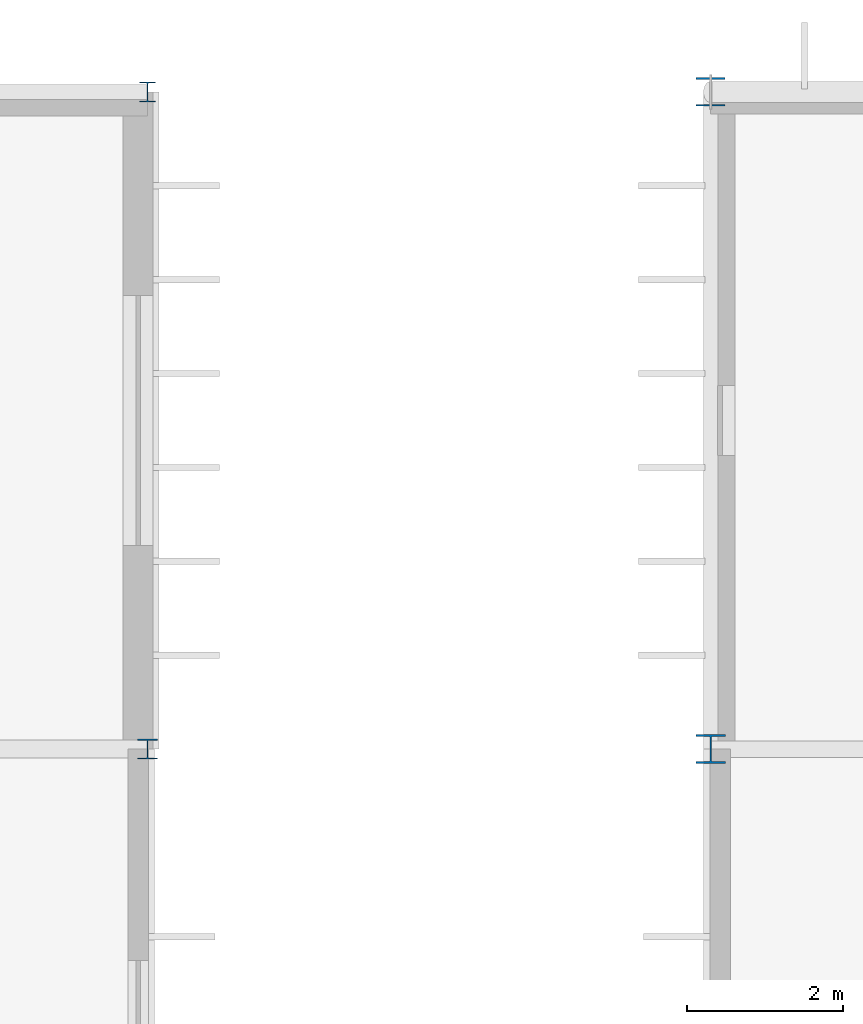
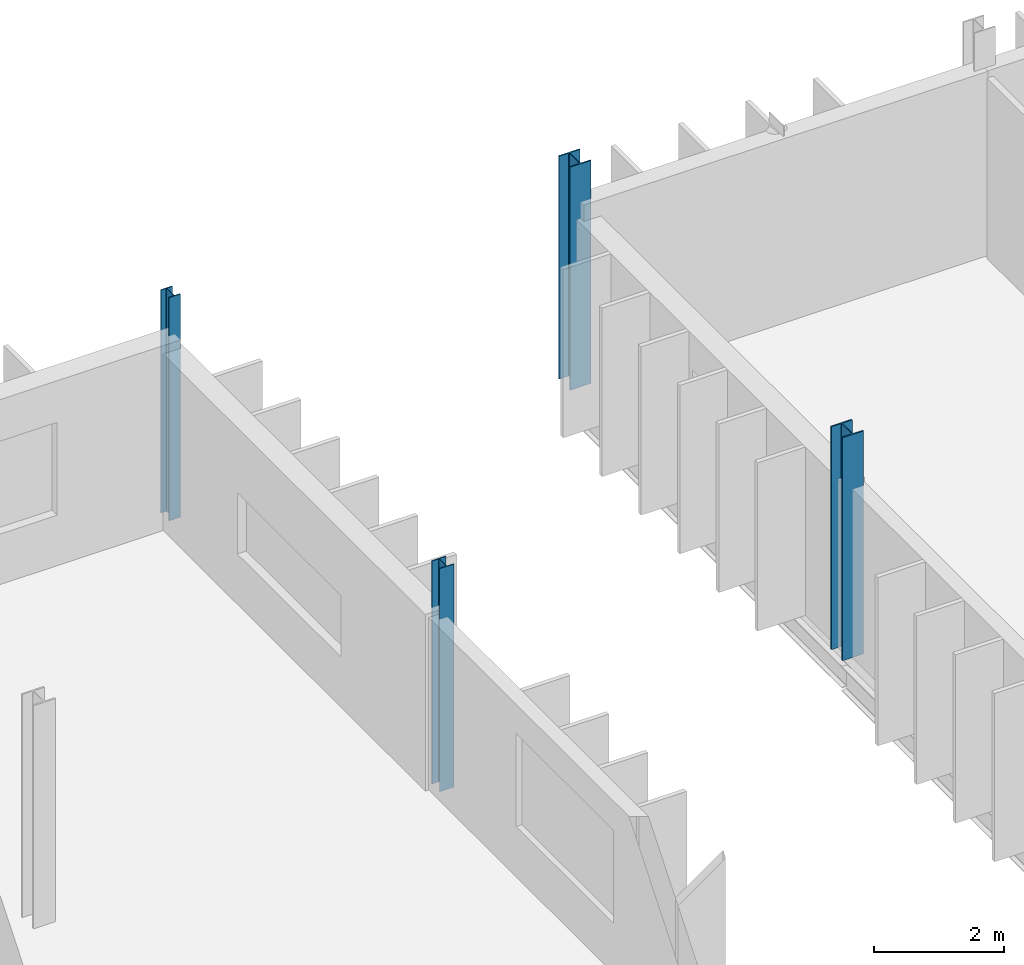
# One storey, part 16 of 119: 4 columns.
"""IFC4 building model written with IfcOpenShell, lengths in metres."""

from ifc_helpers import new_model, si_unit, direction, frame, origin, origin_2d, place, context, subcontext, project, spatial, i_section, extrude, material, material_profile, profile_set, type_object, element, save


model = new_model("IFC4")

# Units and contexts
model_context = context("Model", 3, precision=1e-05, world=origin(), true_north=direction((0.0, 1.0)))
body_context = subcontext(model_context, "Body", "Model", "MODEL_VIEW")
ifc_project = project(units=[si_unit("LENGTHUNIT", "METRE"), si_unit("AREAUNIT", "SQUARE_METRE"), si_unit("VOLUMEUNIT", "CUBIC_METRE"), si_unit("PLANEANGLEUNIT", "RADIAN"), si_unit("MASSUNIT", "GRAM", prefix="KILO")], contexts=[model_context])

# Site, building, storey
site_placement = place(None, origin())
site = spatial("IfcSite", under=ifc_project, at=site_placement, CompositionType="ELEMENT")
building_placement = place(site_placement, origin())
building = spatial("IfcBuilding", under=site, at=building_placement, Name="Qelthora Terrace Specialist Clinic", CompositionType="ELEMENT")
storey_placement = place(building_placement, frame((0.0, 0.0, 4.800048828125)))
storey = spatial("IfcBuildingStorey", under=building, at=storey_placement, Name="L01", CompositionType="ELEMENT", Elevation=4.800048828125)

# Columns
ifc_material = material(Name="Steel S355", Category="steel")
ifc_material_profile_1 = material_profile(ifc_material, i_section(OverallWidth=0.2041015625, OverallDepth=0.257080078125, WebThickness=0.0087890625, FlangeThickness=0.015625, FilletRadius=0.012939453125, at=origin_2d()), Name="W250X67")
ifc_profile_set_1 = profile_set([ifc_material_profile_1], Name="Steel S355")
column_type_1 = type_object("IfcColumnType", Name="COL-W250X67", PredefinedType="COLUMN", material=ifc_profile_set_1)
column_1_placement = place(storey_placement, frame((50.39990234375, 109.199951171875, 0.0), z_axis=(0.0, 0.0, 1.0), x_axis=(1.0, 0.0, 0.0)))
element("IfcColumn", 1, at=column_1_placement, inside=storey, type_object=column_type_1, Name="Column L01-099", PredefinedType="COLUMN", context=body_context, shape_type="SweptSolid", body=[
    extrude(i_section(OverallWidth=0.2041015625, OverallDepth=0.257080078125, WebThickness=0.0087890625, FlangeThickness=0.015625, FilletRadius=0.012939453125, at=origin_2d()), origin(), (0.0, 0.0, 1.0), 4.199951171875),
])
ifc_material_profile_2 = material_profile(ifc_material, i_section(OverallWidth=0.25390625, OverallDepth=0.2529296875, WebThickness=0.008544921875, FlangeThickness=0.01416015625, FilletRadius=0.012939453125, at=origin_2d()), Name="W250X73")
ifc_profile_set_2 = profile_set([ifc_material_profile_2], Name="Steel S355")
column_type_2 = type_object("IfcColumnType", Name="COL-W250X73", PredefinedType="COLUMN", material=ifc_profile_set_2)
column_2_placement = place(storey_placement, frame((50.39990234375, 100.800048828125, 0.0), z_axis=(0.0, 0.0, 1.0), x_axis=(1.0, 0.0, 0.0)))
element("IfcColumn", 2, at=column_2_placement, inside=storey, type_object=column_type_2, Name="Column L01-098", PredefinedType="COLUMN", context=body_context, shape_type="SweptSolid", body=[
    extrude(i_section(OverallWidth=0.25390625, OverallDepth=0.2529296875, WebThickness=0.008544921875, FlangeThickness=0.01416015625, FilletRadius=0.012939453125, at=origin_2d()), origin(), (0.0, 0.0, 1.0), 4.199951171875),
])
ifc_material_profile_3 = material_profile(ifc_material, i_section(OverallWidth=0.37109375, OverallDepth=0.364013671875, WebThickness=0.01318359375, FlangeThickness=0.021728515625, FilletRadius=0.02001953125, at=origin_2d()), Name="W360X162")
ifc_profile_set_3 = profile_set([ifc_material_profile_3], Name="Steel S355")
column_type_3 = type_object("IfcColumnType", Name="COL-W360X162", PredefinedType="COLUMN", material=ifc_profile_set_3)
column_3_placement = place(storey_placement, frame((57.60009765625, 109.199951171875, 0.0), z_axis=(0.0, 0.0, 1.0), x_axis=(1.0, 0.0, 0.0)))
element("IfcColumn", 3, at=column_3_placement, inside=storey, type_object=column_type_3, Name="Column L01-113", PredefinedType="COLUMN", context=body_context, shape_type="SweptSolid", body=[
    extrude(i_section(OverallWidth=0.37109375, OverallDepth=0.364013671875, WebThickness=0.01318359375, FlangeThickness=0.021728515625, FilletRadius=0.02001953125, at=origin_2d()), origin(), (0.0, 0.0, 1.0), 4.199951171875),
])
ifc_material_profile_4 = material_profile(ifc_material, i_section(OverallWidth=0.373046875, OverallDepth=0.367919921875, WebThickness=0.014892578125, FlangeThickness=0.02392578125, FilletRadius=0.02001953125, at=origin_2d()), Name="W360X179")
ifc_profile_set_4 = profile_set([ifc_material_profile_4], Name="Steel S355")
column_type_4 = type_object("IfcColumnType", Name="COL-W360X179", PredefinedType="COLUMN", material=ifc_profile_set_4)
column_4_placement = place(storey_placement, frame((57.60009765625, 100.800048828125, 0.0), z_axis=(0.0, 0.0, 1.0), x_axis=(1.0, 0.0, 0.0)))
element("IfcColumn", 4, at=column_4_placement, inside=storey, type_object=column_type_4, Name="Column L01-112", PredefinedType="COLUMN", context=body_context, shape_type="SweptSolid", body=[
    extrude(i_section(OverallWidth=0.373046875, OverallDepth=0.367919921875, WebThickness=0.014892578125, FlangeThickness=0.02392578125, FilletRadius=0.02001953125, at=origin_2d()), origin(), (0.0, 0.0, 1.0), 4.199951171875),
])

save(model, "model.ifc")
